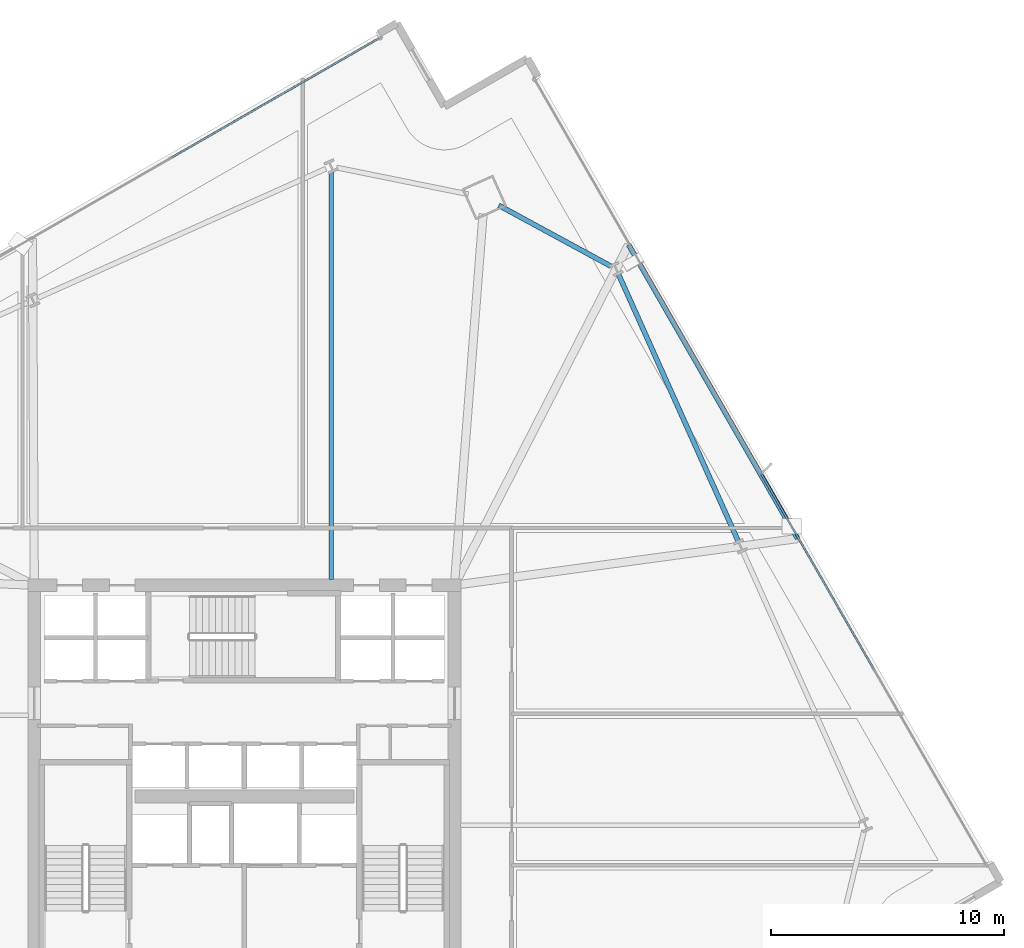
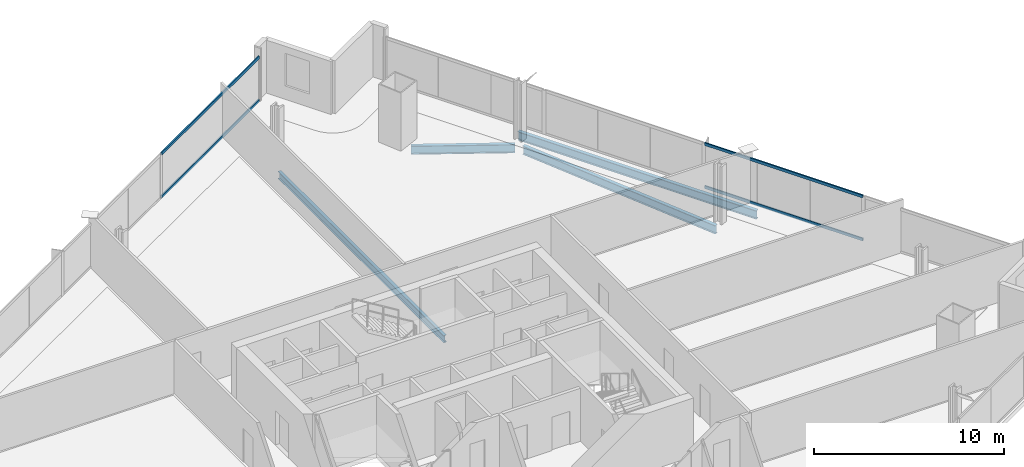
# One storey, part 18 of 33: 4 beams, 4 members, 2 elements without a shape of their own.
"""IFC4 building model written with IfcOpenShell, lengths in metres."""

from ifc_helpers import new_model, si_unit, direction, frame, origin, origin_2d, place, context, subcontext, project, spatial, hollow_rectangle, i_section, extrude, material, material_profile, profile_set, type_object, element, aggregate, save


model = new_model("IFC4")

# Units and contexts
model_context = context("Model", 3, precision=1e-05, world=origin(), true_north=direction((0.0, 1.0)))
body_context = subcontext(model_context, "Body", "Model", "MODEL_VIEW")
ifc_project = project(units=[si_unit("LENGTHUNIT", "METRE"), si_unit("AREAUNIT", "SQUARE_METRE"), si_unit("VOLUMEUNIT", "CUBIC_METRE"), si_unit("PLANEANGLEUNIT", "RADIAN"), si_unit("MASSUNIT", "GRAM", prefix="KILO")], contexts=[model_context])

# Site, building, storey
site_placement = place(None, origin())
site = spatial("IfcSite", under=ifc_project, at=site_placement, CompositionType="ELEMENT")
building_placement = place(site_placement, origin())
building = spatial("IfcBuilding", under=site, at=building_placement, Name="Haldenkirk Collegiate Tower", CompositionType="ELEMENT")
storey_placement = place(building_placement, frame((0.0, 0.0, 127.949951171875)))
storey = spatial("IfcBuildingStorey", under=building, at=storey_placement, Name="L31", CompositionType="ELEMENT", Elevation=127.949951171875)

# Beams
ifc_material_1 = material(Name="Steel ASTM A992 Grade 50", Category="steel")
ifc_material_profile_1 = material_profile(ifc_material_1, i_section(OverallWidth=0.19189453125, OverallDepth=0.462890625, WebThickness=0.010498046875, FlangeThickness=0.017578125, at=origin_2d()), Name="W18X60")
ifc_profile_set_1 = profile_set([ifc_material_profile_1], Name="Steel ASTM A992 Grade 50")
beam_type_1 = type_object("IfcBeamType", Name="BM-JOIST-W18X60", PredefinedType="JOIST", material=ifc_profile_set_1)
beam_1_placement = place(storey_placement, frame((39.71630859375, 51.6953125, -0.531494140625), z_axis=(0.0, -1.0, 0.0), x_axis=(1.0, 0.0, 0.0)))
element("IfcBeam", 1, at=beam_1_placement, inside=storey, type_object=beam_type_1, Name="L31 composite floor joist 11", PredefinedType="JOIST", context=body_context, shape_type="SweptSolid", body=[
    extrude(i_section(OverallWidth=0.19189453125, OverallDepth=0.462890625, WebThickness=0.010498046875, FlangeThickness=0.017578125, at=origin_2d()), origin(), (0.0, 0.0, 1.0), 17.4404296875),
])
ifc_material_profile_2 = material_profile(ifc_material_1, i_section(OverallWidth=0.2119140625, OverallDepth=0.5439453125, WebThickness=0.01318359375, FlangeThickness=0.021240234375, at=origin_2d()), Name="W21X83")
ifc_profile_set_2 = profile_set([ifc_material_profile_2], Name="Steel ASTM A992 Grade 50")
beam_type_2 = type_object("IfcBeamType", Name="BM-SPANDREL-W21X83", PredefinedType="SPANDREL", material=ifc_profile_set_2)
beam_2_placement = place(storey_placement, frame((57.15478515625, 35.89111328125, -0.572021484375), z_axis=(-0.409131464477, 0.912475448861, 0.0), x_axis=(-0.912475448861, -0.409131464477, 0.0)))
element("IfcBeam", 2, at=beam_2_placement, inside=storey, type_object=beam_type_2, Name="L31 perimeter spandrel beam 07", PredefinedType="SPANDREL", context=body_context, shape_type="SweptSolid", body=[
    extrude(i_section(OverallWidth=0.2119140625, OverallDepth=0.5439453125, WebThickness=0.01318359375, FlangeThickness=0.021240234375, at=origin_2d()), origin(), (0.0, 0.0, 1.0), 12.524169921875),
])
beam_3_placement = place(storey_placement, frame((51.714599609375, 47.66015625, -0.572021484375), z_axis=(-0.878835810931, 0.477124320723, 0.0), x_axis=(-0.477124320723, -0.878835810931, 0.0)))
element("IfcBeam", 3, at=beam_3_placement, inside=storey, type_object=beam_type_2, Name="L31 perimeter spandrel beam 08", PredefinedType="SPANDREL", context=body_context, shape_type="SweptSolid", body=[
    extrude(i_section(OverallWidth=0.2119140625, OverallDepth=0.5439453125, WebThickness=0.01318359375, FlangeThickness=0.021240234375, at=origin_2d()), origin(), (0.0, 0.0, 1.0), 5.477783203125),
])
beam_4_placement = place(storey_placement, frame((59.69970703125, 35.999755859375, -0.572021484375), z_axis=(-0.498477127752, 0.866902851021, 0.0), x_axis=(-0.866902851021, -0.498477127752, 0.0)))
element("IfcBeam", 4, at=beam_4_placement, inside=storey, type_object=beam_type_2, Name="L31 outer facade edge beam 2", PredefinedType="SPANDREL", context=body_context, shape_type="SweptSolid", body=[
    extrude(i_section(OverallWidth=0.2119140625, OverallDepth=0.5439453125, WebThickness=0.01318359375, FlangeThickness=0.021240234375, at=origin_2d()), origin(), (0.0, 0.0, 1.0), 14.516845703125),
])

# Curtain wall, members
ifc_material_2 = material(Name="Anodised architectural bronze aluminium", Category="aluminium")
curtain_wall_type = type_object("IfcCurtainWallType", Name="CW-SYS1-CONVEX-LOW", PredefinedType="USERDEFINED", material=ifc_material_2)
curtain_wall_1_placement = place(storey_placement, origin())
curtain_wall_1 = element("IfcCurtainWall", 5, at=curtain_wall_1_placement, inside=storey, type_object=curtain_wall_type, Name="L31 Lower tower convex bronze-framed unitised curtain wall", ObjectType="UNITISED CURTAIN WALL", PredefinedType="USERDEFINED")
ifc_material_profile_3 = material_profile(ifc_material_2, hollow_rectangle(XDim=0.080078125, YDim=0.179931640625, WallThickness=0.0048828125, at=origin_2d()), Name="CW-TRN-1A")
ifc_profile_set_3 = profile_set([ifc_material_profile_3], Name="Anodised architectural bronze aluminium")
member_type = type_object("IfcMemberType", Name="CW-TRN-1A", PredefinedType="USERDEFINED", material=ifc_profile_set_3)
member_1_placement = place(storey_placement, frame((58.13037109375, 38.809326171875, 0.0400390625), z_axis=(0.498491110954, -0.866894810401, 0.0), x_axis=(0.866894810401, 0.498491110954, 0.0)))
member_1 = element("IfcMember", 6, at=member_1_placement, type_object=member_type, Name="CW-1A transom 3.1", ObjectType="TRANSOM", PredefinedType="USERDEFINED", context=body_context, shape_type="SweptSolid", body=[
    extrude(hollow_rectangle(XDim=0.080078125, YDim=0.179931640625, WallThickness=0.0048828125, at=origin_2d()), origin(), (0.0, 0.0, 1.0), 9.638916015625),
])
member_2_placement = place(storey_placement, frame((58.13037109375, 38.809326171875, 2.81103515625), z_axis=(0.498491110954, -0.866894810401, 0.0), x_axis=(0.866894810401, 0.498491110954, 0.0)))
member_2 = element("IfcMember", 7, at=member_2_placement, type_object=member_type, Name="CW-1A transom 3.2", ObjectType="TRANSOM", PredefinedType="USERDEFINED", context=body_context, shape_type="SweptSolid", body=[
    extrude(hollow_rectangle(XDim=0.080078125, YDim=0.179931640625, WallThickness=0.0048828125, at=origin_2d()), origin(), (0.0, 0.0, 1.0), 9.638916015625),
])
aggregate(curtain_wall_1, [member_1, member_2])

curtain_wall_2_placement = place(storey_placement, origin())
curtain_wall_2 = element("IfcCurtainWall", 8, at=curtain_wall_2_placement, inside=storey, type_object=curtain_wall_type, Name="L31 Lower tower convex bronze-framed unitised curtain wall", ObjectType="UNITISED CURTAIN WALL", PredefinedType="USERDEFINED")
member_3_placement = place(storey_placement, frame((32.880615234375, 52.318115234375, 0.0400390625), z_axis=(0.866890613824, 0.498498408888, 0.0), x_axis=(-0.498498408888, 0.866890613824, 0.0)))
member_3 = element("IfcMember", 9, at=member_3_placement, type_object=member_type, Name="CW-1A transom 4.1", ObjectType="TRANSOM", PredefinedType="USERDEFINED", context=body_context, shape_type="SweptSolid", body=[
    extrude(hollow_rectangle(XDim=0.080078125, YDim=0.179931640625, WallThickness=0.0048828125, at=origin_2d()), origin(), (0.0, 0.0, 1.0), 10.2548828125),
])
member_4_placement = place(storey_placement, frame((32.880615234375, 52.318115234375, 2.81103515625), z_axis=(0.866890613824, 0.498498408888, 0.0), x_axis=(-0.498498408888, 0.866890613824, 0.0)))
member_4 = element("IfcMember", 10, at=member_4_placement, type_object=member_type, Name="CW-1A transom 4.2", ObjectType="TRANSOM", PredefinedType="USERDEFINED", context=body_context, shape_type="SweptSolid", body=[
    extrude(hollow_rectangle(XDim=0.080078125, YDim=0.179931640625, WallThickness=0.0048828125, at=origin_2d()), origin(), (0.0, 0.0, 1.0), 10.2548828125),
])
aggregate(curtain_wall_2, [member_3, member_4])

save(model, "model.ifc")
